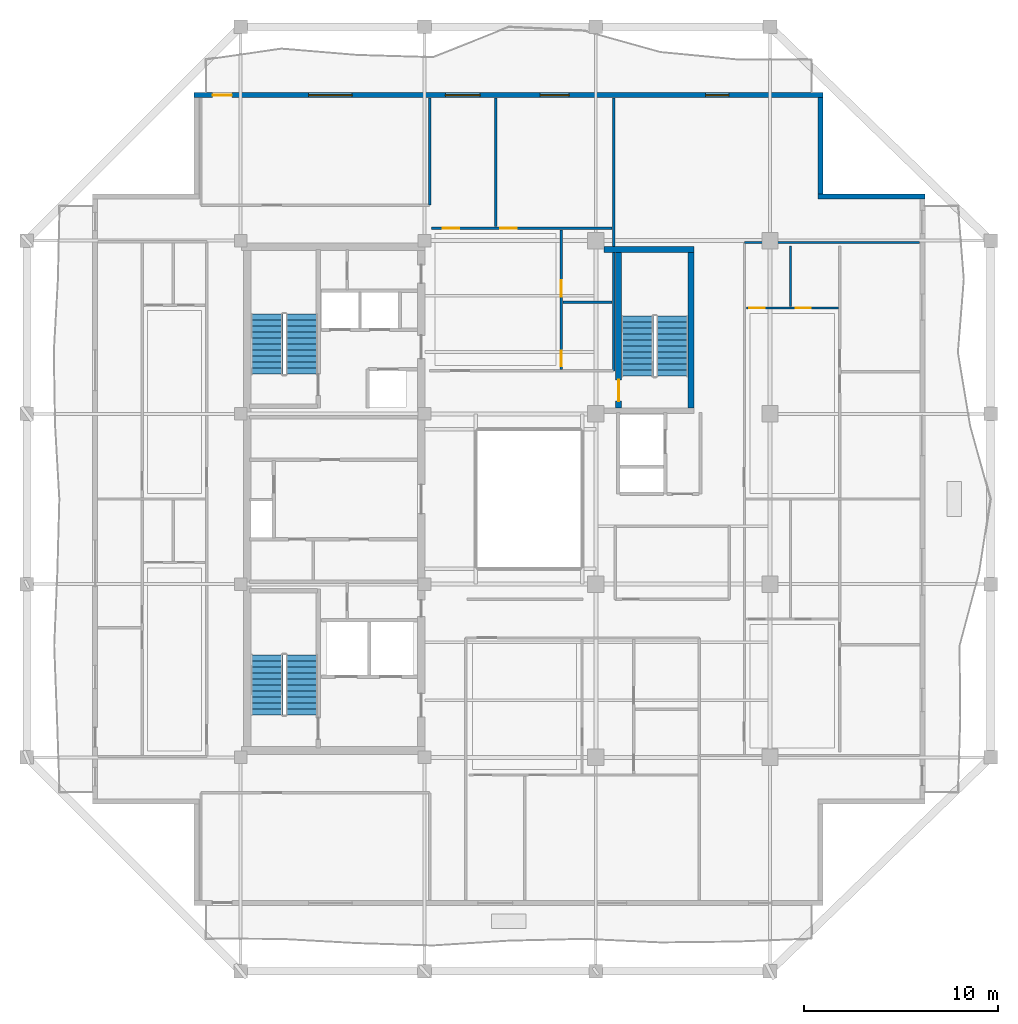
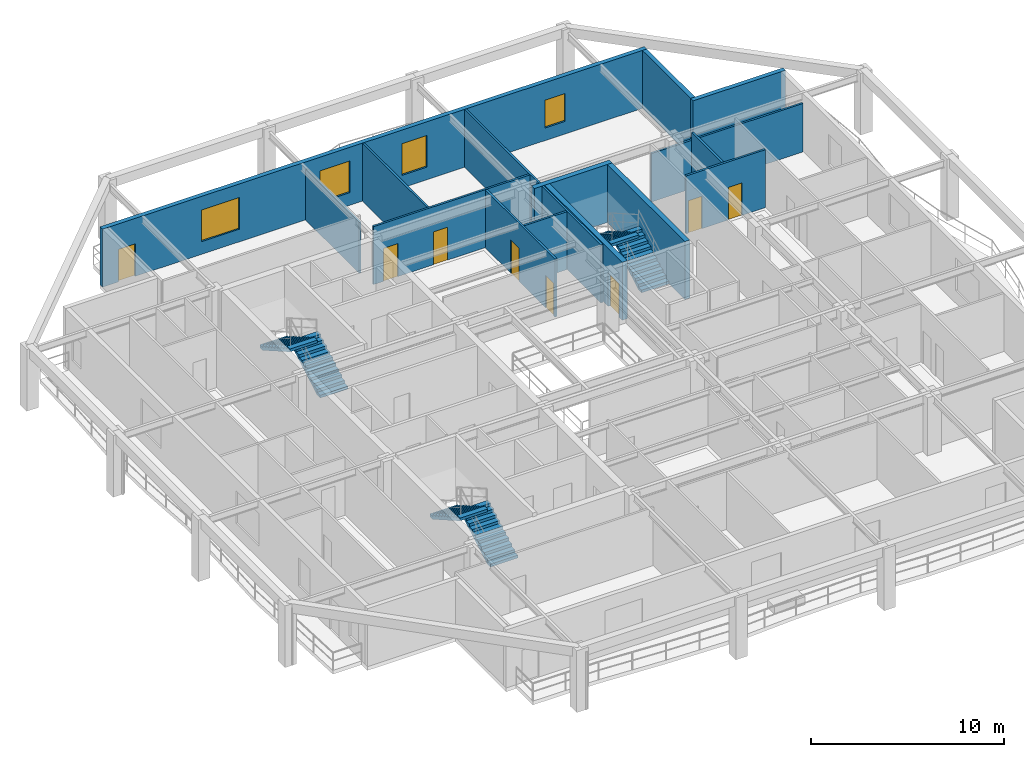
# One storey, part 6 of 11: 15 walls, 8 doors, 6 stair flights, 4 windows, 12 openings, 3 elements without a shape of their own.
"""IFC4 building model written with IfcOpenShell, lengths in metres."""

from ifc_helpers import new_model, si_unit, direction, frame, frame_2d, origin, place, context, subcontext, project, spatial, polyline, rectangle, outline, extrude, material, layer, layer_set, type_object, element, fill, aggregate, save


model = new_model("IFC4")

# Units and contexts
model_context = context("Model", 3, precision=1e-05, world=origin(), true_north=direction((0.0, 1.0)))
body_context = subcontext(model_context, "Body", "Model", "MODEL_VIEW")
ifc_project = project(units=[si_unit("LENGTHUNIT", "METRE"), si_unit("AREAUNIT", "SQUARE_METRE"), si_unit("VOLUMEUNIT", "CUBIC_METRE"), si_unit("PLANEANGLEUNIT", "RADIAN"), si_unit("MASSUNIT", "GRAM", prefix="KILO")], contexts=[model_context])

# Site, building, storey
site_placement = place(None, origin())
site = spatial("IfcSite", under=ifc_project, at=site_placement, CompositionType="ELEMENT")
building_placement = place(site_placement, origin())
building = spatial("IfcBuilding", under=site, at=building_placement, Name="Kundavana Baori Tower", CompositionType="ELEMENT")
storey_placement = place(building_placement, frame((0.0, 0.0, 218.0)))
storey = spatial("IfcBuildingStorey", under=building, at=storey_placement, Name="L53", CompositionType="ELEMENT", Elevation=218.0)

# Walls
ifc_material_1 = material(Name="Kiln-Fired Terracotta Brick-Slip Masonry on Concrete C40/50", Category="masonry")
ifc_layer_1 = layer(ifc_material_1, 0.260009765625, Name="WL-EXT-BRK-260")
ifc_layer_set_1 = layer_set([ifc_layer_1], Name="Kiln-Fired Terracotta Brick-Slip Masonry on Concrete C40/50")
wall_type_1 = type_object("IfcWallType", Name="WL-EXT-BRK-260", PredefinedType="SOLIDWALL", material=ifc_layer_set_1)
wall_1_placement = place(storey_placement, frame((50.800048828125, 44.219970703125, 0.0), z_axis=(0.0, 0.0, 1.0), x_axis=(-1.0, 0.0, 0.0)))
element("IfcWall", 1, at=wall_1_placement, inside=storey, type_object=wall_type_1, Name="L53 Exterior Insulated Facade Wall 05", PredefinedType="SOLIDWALL", context=body_context, shape_type="SweptSolid", body=[
    extrude(rectangle(XDim=5.510009765625, YDim=0.260009765625, at=frame_2d((2.7548828125, 0.0))), origin(), (0.0, 0.0, 1.0), 3.659912109375),
])
wall_2_placement = place(storey_placement, frame((45.419921875, 44.35009765625, 0.0), z_axis=(0.0, 0.0, 1.0), x_axis=(0.0, 1.0, 0.0)))
element("IfcWall", 2, at=wall_2_placement, inside=storey, type_object=wall_type_1, Name="L53 Exterior Insulated Facade Wall 06", PredefinedType="SOLIDWALL", context=body_context, shape_type="SweptSolid", body=[
    extrude(rectangle(XDim=4.989990234375, YDim=0.260009765625, at=frame_2d((2.4951171875, 0.0))), origin(), (0.0, 0.0, 1.0), 3.659912109375),
])

# Wall, openings, door, windows
wall_3_placement = place(storey_placement, frame((45.550048828125, 49.469970703125, 0.0), z_axis=(0.0, 0.0, 1.0), x_axis=(-1.0, 0.0, 0.0)))
wall_3 = element("IfcWall", 3, at=wall_3_placement, inside=storey, type_object=wall_type_1, Name="L53 Exterior Insulated Facade Wall 07", PredefinedType="SOLIDWALL", context=body_context, shape_type="SweptSolid", body=[
    extrude(rectangle(XDim=32.5, YDim=0.260009765625, at=frame_2d((16.25, 0.0))), origin(), (0.0, 0.0, 1.0), 3.659912109375),
])
opening_1_placement = place(wall_3_placement, frame((30.550048828125, 0.0, 0.0)))
opening_1 = element("IfcOpeningElement", 4, at=opening_1_placement, cuts=wall_3, Name="Opening BD-1", PredefinedType="OPENING", context=body_context, shape_type="SweptSolid", body=[
    extrude(rectangle(XDim=1.0, YDim=2.050048828125, at=frame_2d((0.5, 1.02490234375))), frame((0.0, 0.14013671875, 0.0), z_axis=(0.0, -1.0, 0.0), x_axis=(1.0, 0.0, 0.0)), (0.0, 0.0, 1.0), 0.280029296875),
])
opening_2_placement = place(wall_3_placement, frame((24.340087890625, 0.0, 0.800048828125)))
opening_2 = element("IfcOpeningElement", 5, at=opening_2_placement, cuts=wall_3, Name="Opening W-10", PredefinedType="OPENING", context=body_context, shape_type="SweptSolid", body=[
    extrude(rectangle(XDim=2.25, YDim=2.0, at=frame_2d((1.125, 1.0))), frame((0.0, 0.14013671875, 0.0), z_axis=(0.0, -1.0, 0.0), x_axis=(1.0, 0.0, 0.0)), (0.0, 0.0, 1.0), 0.280029296875),
])
opening_3_placement = place(wall_3_placement, frame((17.72802734375, 0.0, 0.800048828125)))
opening_3 = element("IfcOpeningElement", 6, at=opening_3_placement, cuts=wall_3, Name="Opening W-01", PredefinedType="OPENING", context=body_context, shape_type="SweptSolid", body=[
    extrude(rectangle(XDim=1.800048828125, YDim=2.0, at=frame_2d((0.89990234375, 1.0))), frame((0.0, 0.14013671875, 0.0), z_axis=(0.0, -1.0, 0.0), x_axis=(1.0, 0.0, 0.0)), (0.0, 0.0, 1.0), 0.280029296875),
])
opening_4_placement = place(wall_3_placement, frame((13.1279296875, 0.0, 0.800048828125)))
opening_4 = element("IfcOpeningElement", 7, at=opening_4_placement, cuts=wall_3, Name="Opening W-02", PredefinedType="OPENING", context=body_context, shape_type="SweptSolid", body=[
    extrude(rectangle(XDim=1.5, YDim=2.0, at=frame_2d((0.75, 1.0))), frame((0.0, 0.14013671875, 0.0), z_axis=(0.0, -1.0, 0.0), x_axis=(1.0, 0.0, 0.0)), (0.0, 0.0, 1.0), 0.280029296875),
])
opening_5_placement = place(wall_3_placement, frame((4.8701171875, 0.0, 0.800048828125)))
opening_5 = element("IfcOpeningElement", 8, at=opening_5_placement, cuts=wall_3, Name="Opening W-03", PredefinedType="OPENING", context=body_context, shape_type="SweptSolid", body=[
    extrude(rectangle(XDim=1.199951171875, YDim=1.75, at=frame_2d((0.60009765625, 0.875))), frame((0.0, 0.14013671875, 0.0), z_axis=(0.0, -1.0, 0.0), x_axis=(1.0, 0.0, 0.0)), (0.0, 0.0, 1.0), 0.280029296875),
])
ifc_material_2 = material(Name="Architectural Patinated Bronze Metalwork")
door_type_1 = type_object("IfcDoorType", Name="DR-EXT-LOG-1000", OperationType="NOTDEFINED", PredefinedType="DOOR", material=ifc_material_2)
door_1_placement = place(opening_1_placement, frame((1.0, 0.0, 0.0), z_axis=(0.0, 0.0, 1.0), x_axis=(-1.0, 0.0, 0.0)))
door_1 = element("IfcDoor", 9, at=door_1_placement, inside=storey, type_object=door_type_1, Name="L53 Loggia Balcony Access Door N", OperationType="SINGLE_SWING_LEFT", OverallHeight=2.050048828125, OverallWidth=1.0, PredefinedType="DOOR", context=body_context, shape_type="SweptSolid", body=[
    extrude(rectangle(XDim=1.0, YDim=2.050048828125, at=frame_2d((0.5, 1.02490234375))), frame((0.0, 0.02490234375, 0.0), z_axis=(0.0, -1.0, 0.0), x_axis=(1.0, 0.0, 0.0)), (0.0, 0.0, 1.0), 0.050048828125),
])
fill(opening_1, door_1)
ifc_material_3 = material(Name="Double-Glazed Solar-Control Low-E Insulated Glass", Category="glass")
window_type_1 = type_object("IfcWindowType", Name="WIN-LOG-1200x1750", PartitioningType="SINGLE_PANEL", PredefinedType="WINDOW", material=ifc_material_3)
window_1_placement = place(opening_5_placement, origin())
window_1 = element("IfcWindow", 10, at=window_1_placement, inside=storey, type_object=window_type_1, Name="L53 Recessed Loggia Window N-4", OverallHeight=1.75, OverallWidth=1.199951171875, PartitioningType="SINGLE_PANEL", PredefinedType="WINDOW", context=body_context, shape_type="SweptSolid", body=[
    extrude(rectangle(XDim=1.199951171875, YDim=1.75, at=frame_2d((0.60009765625, 0.875))), frame((0.0, 0.030029296875, 0.0), z_axis=(0.0, -1.0, 0.0), x_axis=(1.0, 0.0, 0.0)), (0.0, 0.0, 1.0), 0.06005859375),
])
fill(opening_5, window_1)
ifc_material_4 = material(Name="Double-Glazed Solar-Control Low-E Insulated Glass", Category="glass")
window_type_2 = type_object("IfcWindowType", Name="WIN-LOG-1500x2000", PartitioningType="SINGLE_PANEL", PredefinedType="WINDOW", material=ifc_material_4)
window_2_placement = place(opening_4_placement, origin())
window_2 = element("IfcWindow", 11, at=window_2_placement, inside=storey, type_object=window_type_2, Name="L53 Recessed Loggia Window N-3", OverallHeight=2.0, OverallWidth=1.5, PartitioningType="SINGLE_PANEL", PredefinedType="WINDOW", context=body_context, shape_type="SweptSolid", body=[
    extrude(rectangle(XDim=1.5, YDim=2.0, at=frame_2d((0.75, 1.0))), frame((0.0, 0.030029296875, 0.0), z_axis=(0.0, -1.0, 0.0), x_axis=(1.0, 0.0, 0.0)), (0.0, 0.0, 1.0), 0.06005859375),
])
fill(opening_4, window_2)
ifc_material_5 = material(Name="Double-Glazed Solar-Control Low-E Insulated Glass", Category="glass")
window_type_3 = type_object("IfcWindowType", Name="WIN-LOG-1800x2000", PartitioningType="SINGLE_PANEL", PredefinedType="WINDOW", material=ifc_material_5)
window_3_placement = place(opening_3_placement, origin())
window_3 = element("IfcWindow", 12, at=window_3_placement, inside=storey, type_object=window_type_3, Name="L53 Recessed Loggia Window N-2", OverallHeight=2.0, OverallWidth=1.800048828125, PartitioningType="SINGLE_PANEL", PredefinedType="WINDOW", context=body_context, shape_type="SweptSolid", body=[
    extrude(rectangle(XDim=1.800048828125, YDim=2.0, at=frame_2d((0.89990234375, 1.0))), frame((0.0, 0.030029296875, 0.0), z_axis=(0.0, -1.0, 0.0), x_axis=(1.0, 0.0, 0.0)), (0.0, 0.0, 1.0), 0.06005859375),
])
fill(opening_3, window_3)
ifc_material_6 = material(Name="Double-Glazed Solar-Control Low-E Insulated Glass", Category="glass")
window_type_4 = type_object("IfcWindowType", Name="WIN-LOG-2250x2000", PartitioningType="SINGLE_PANEL", PredefinedType="WINDOW", material=ifc_material_6)
window_4_placement = place(opening_2_placement, origin())
window_4 = element("IfcWindow", 13, at=window_4_placement, inside=storey, type_object=window_type_4, Name="L53 Recessed Loggia Window N-1", OverallHeight=2.0, OverallWidth=2.25, PartitioningType="SINGLE_PANEL", PredefinedType="WINDOW", context=body_context, shape_type="SweptSolid", body=[
    extrude(rectangle(XDim=2.25, YDim=2.0, at=frame_2d((1.125, 1.0))), frame((0.0, 0.030029296875, 0.0), z_axis=(0.0, -1.0, 0.0), x_axis=(1.0, 0.0, 0.0)), (0.0, 0.0, 1.0), 0.06005859375),
])
fill(opening_2, window_4)

# Walls
ifc_material_7 = material(Name="Acoustic Gypsum Plasterboard on Galvanised Steel Studs", Category="steel")
ifc_layer_2 = layer(ifc_material_7, 0.1201171875, Name="WL-PART-120")
ifc_layer_set_2 = layer_set([ifc_layer_2], Name="Acoustic Gypsum Plasterboard on Galvanised Steel Studs")
wall_type_2 = type_object("IfcWallType", Name="WL-PART-120", PredefinedType="PARTITIONING", material=ifc_layer_set_2)
wall_4_placement = place(storey_placement, frame((25.219970703125, 43.780029296875, 0.0), z_axis=(0.0, 0.0, 1.0), x_axis=(0.0, 1.0, 0.0)))
element("IfcWall", 14, at=wall_4_placement, inside=storey, type_object=wall_type_2, Name="WL-L53-RNCE", PredefinedType="PARTITIONING", context=body_context, shape_type="SweptSolid", body=[
    extrude(rectangle(XDim=5.5400390625, YDim=0.1201171875, at=frame_2d((2.77001953125, 0.0))), origin(), (0.0, 0.0, 1.0), 3.2099609375),
])
wall_5_placement = place(storey_placement, frame((34.719970703125, 35.219970703125, 0.0), z_axis=(0.0, 0.0, 1.0), x_axis=(0.0, 1.0, 0.0)))
element("IfcWall", 15, at=wall_5_placement, inside=storey, type_object=wall_type_2, Name="WL-L53-RNEND", PredefinedType="PARTITIONING", context=body_context, shape_type="SweptSolid", body=[
    extrude(rectangle(XDim=14.10009765625, YDim=0.1201171875, at=frame_2d((7.050048828125, 0.0))), origin(), (0.0, 0.0, 1.0), 3.659912109375),
])

# Wall, openings, doors
wall_6_placement = place(storey_placement, frame((25.300048828125, 42.590087890625, 0.0), z_axis=(0.0, 0.0, 1.0), x_axis=(1.0, 0.0, 0.0)))
wall_6 = element("IfcWall", 16, at=wall_6_placement, inside=storey, type_object=wall_type_2, Name="WL-L53-N1-HZ", PredefinedType="PARTITIONING", context=body_context, shape_type="SweptSolid", body=[
    extrude(rectangle(XDim=9.33984375, YDim=0.1201171875, at=frame_2d((4.669921875, 0.0))), origin(), (0.0, 0.0, 1.0), 3.659912109375),
])
opening_6_placement = place(wall_6_placement, frame((0.60009765625, 0.0, 0.0)))
opening_6 = element("IfcOpeningElement", 17, at=opening_6_placement, cuts=wall_6, Name="Opening ID-085", PredefinedType="OPENING", context=body_context, shape_type="SweptSolid", body=[
    extrude(rectangle(XDim=0.85009765625, YDim=2.080078125, at=frame_2d((0.425048828125, 1.0400390625))), frame((0.0, 0.070068359375, 0.0), z_axis=(0.0, -1.0, 0.0), x_axis=(1.0, 0.0, 0.0)), (0.0, 0.0, 1.0), 0.14013671875),
])
opening_7_placement = place(wall_6_placement, frame((3.572998046875, 0.0, 0.0)))
opening_7 = element("IfcOpeningElement", 18, at=opening_7_placement, cuts=wall_6, Name="Opening ID-085", PredefinedType="OPENING", context=body_context, shape_type="SweptSolid", body=[
    extrude(rectangle(XDim=0.85009765625, YDim=2.080078125, at=frame_2d((0.425048828125, 1.0400390625))), frame((0.0, 0.070068359375, 0.0), z_axis=(0.0, -1.0, 0.0), x_axis=(1.0, 0.0, 0.0)), (0.0, 0.0, 1.0), 0.14013671875),
])
ifc_material_8 = material(Name="Engineered Teak Solid-Core Timber Veneer", Category="wood")
door_type_2 = type_object("IfcDoorType", Name="DR-INT-850", OperationType="NOTDEFINED", PredefinedType="DOOR", material=ifc_material_8)
door_2_placement = place(opening_6_placement, origin())
door_2 = element("IfcDoor", 19, at=door_2_placement, inside=storey, type_object=door_type_2, Name="DR-L53-N1-B1", OperationType="SINGLE_SWING_LEFT", OverallHeight=2.080078125, OverallWidth=0.85009765625, PredefinedType="DOOR", context=body_context, shape_type="SweptSolid", body=[
    extrude(rectangle(XDim=0.85009765625, YDim=2.080078125, at=frame_2d((0.425048828125, 1.0400390625))), frame((0.0, 0.02490234375, 0.0), z_axis=(0.0, -1.0, 0.0), x_axis=(1.0, 0.0, 0.0)), (0.0, 0.0, 1.0), 0.050048828125),
])
fill(opening_6, door_2)
door_3_placement = place(opening_7_placement, origin())
door_3 = element("IfcDoor", 20, at=door_3_placement, inside=storey, type_object=door_type_2, Name="DR-L53-N1-B2", OperationType="SINGLE_SWING_RIGHT", OverallHeight=2.080078125, OverallWidth=0.85009765625, PredefinedType="DOOR", context=body_context, shape_type="SweptSolid", body=[
    extrude(rectangle(XDim=0.85009765625, YDim=2.080078125, at=frame_2d((0.425048828125, 1.0400390625))), frame((0.0, 0.02490234375, 0.0), z_axis=(0.0, -1.0, 0.0), x_axis=(1.0, 0.0, 0.0)), (0.0, 0.0, 1.0), 0.050048828125),
])
fill(opening_7, door_3)

# Walls
wall_7_placement = place(storey_placement, frame((28.623046875, 42.669921875, 0.0), z_axis=(0.0, 0.0, 1.0), x_axis=(0.0, 1.0, 0.0)))
element("IfcWall", 21, at=wall_7_placement, inside=storey, type_object=wall_type_2, Name="WL-L53-N1-BDV", PredefinedType="PARTITIONING", context=body_context, shape_type="SweptSolid", body=[
    extrude(rectangle(XDim=6.650146484375, YDim=0.1201171875, at=frame_2d((3.3251953125, 0.0))), origin(), (0.0, 0.0, 1.0), 3.659912109375),
])
wall_8_placement = place(storey_placement, frame((41.47998046875, 41.85009765625, 0.0), z_axis=(0.0, 0.0, 1.0), x_axis=(1.0, 0.0, 0.0)))
element("IfcWall", 22, at=wall_8_placement, inside=storey, type_object=wall_type_2, Name="WL-L53-REN", PredefinedType="PARTITIONING", context=body_context, shape_type="SweptSolid", body=[
    extrude(rectangle(XDim=9.0400390625, YDim=0.1201171875, at=frame_2d((4.52001953125, 0.0))), origin(), (0.0, 0.0, 1.0), 3.06005859375),
])
ifc_material_9 = material(Name="Concrete C50/60", Category="concrete")
ifc_layer_3 = layer(ifc_material_9, 0.300048828125, Name="WL-ST3-300")
ifc_layer_set_3 = layer_set([ifc_layer_3], Name="Concrete C50/60")
wall_type_3 = type_object("IfcWallType", Name="WL-ST3-300", PredefinedType="SHEAR", material=ifc_layer_set_3)
wall_9_placement = place(storey_placement, frame((34.22509765625, 41.489990234375, 0.0), z_axis=(0.0, 0.0, 1.0), x_axis=(1.0, 0.0, 0.0)))
element("IfcWall", 23, at=wall_9_placement, inside=storey, type_object=wall_type_3, Name="L53 Stair ST3 North Shear Wall", PredefinedType="SHEAR", context=body_context, shape_type="SweptSolid", body=[
    extrude(rectangle(XDim=4.64501953125, YDim=0.300048828125, at=frame_2d((2.322509765625, 0.0))), origin(), (0.0, 0.0, 1.0), 3.659912109375),
])

# Wall, opening, door
wall_10_placement = place(storey_placement, frame((34.97998046875, 33.31005859375, 0.0), z_axis=(0.0, 0.0, 1.0), x_axis=(0.0, 1.0, 0.0)))
wall_10 = element("IfcWall", 24, at=wall_10_placement, inside=storey, type_object=wall_type_3, Name="L53 Stair ST3 West Shear Wall", PredefinedType="SHEAR", context=body_context, shape_type="SweptSolid", body=[
    extrude(rectangle(XDim=8.030029296875, YDim=0.300048828125, at=frame_2d((4.01513671875, 0.0))), origin(), (0.0, 0.0, 1.0), 3.659912109375),
])
opening_8_placement = place(wall_10_placement, frame((0.35009765625, 0.0, 0.0)))
opening_8 = element("IfcOpeningElement", 25, at=opening_8_placement, cuts=wall_10, Name="Opening FD-110", PredefinedType="OPENING", context=body_context, shape_type="SweptSolid", body=[
    extrude(rectangle(XDim=1.10009765625, YDim=2.10009765625, at=frame_2d((0.550048828125, 1.050048828125))), frame((0.0, 0.16015625, 0.0), z_axis=(0.0, -1.0, 0.0), x_axis=(1.0, 0.0, 0.0)), (0.0, 0.0, 1.0), 0.320068359375),
])
ifc_material_10 = material(Name="Galvanised Steel Fire-Rated Door Leaf", Category="steel")
door_type_3 = type_object("IfcDoorType", Name="DR-FD120-1100", OperationType="NOTDEFINED", PredefinedType="DOOR", material=ifc_material_10)
door_4_placement = place(opening_8_placement, origin())
door_4 = element("IfcDoor", 26, at=door_4_placement, inside=storey, type_object=door_type_3, Name="DR-L53-ST3-W", OperationType="SINGLE_SWING_LEFT", OverallHeight=2.10009765625, OverallWidth=1.10009765625, PredefinedType="DOOR", context=body_context, shape_type="SweptSolid", body=[
    extrude(rectangle(XDim=1.10009765625, YDim=2.10009765625, at=frame_2d((0.550048828125, 1.050048828125))), frame((0.0, 0.02490234375, 0.0), z_axis=(0.0, -1.0, 0.0), x_axis=(1.0, 0.0, 0.0)), (0.0, 0.0, 1.0), 0.050048828125),
])
fill(opening_8, door_4)

# Wall
wall_11_placement = place(storey_placement, frame((38.719970703125, 33.31005859375, 0.0), z_axis=(0.0, 0.0, 1.0), x_axis=(0.0, 1.0, 0.0)))
element("IfcWall", 27, at=wall_11_placement, inside=storey, type_object=wall_type_3, Name="L53 Stair ST3 East Shear Wall", PredefinedType="SHEAR", context=body_context, shape_type="SweptSolid", body=[
    extrude(rectangle(XDim=8.030029296875, YDim=0.300048828125, at=frame_2d((4.01513671875, 0.0))), origin(), (0.0, 0.0, 1.0), 3.659912109375),
])

# Wall, openings, doors
ifc_material_11 = material(Name="Autoclaved Aerated Concrete Blockwork Masonry", Category="masonry")
ifc_layer_4 = layer(ifc_material_11, 0.125, Name="WL-WET-120")
ifc_layer_set_4 = layer_set([ifc_layer_4], Name="Autoclaved Aerated Concrete Blockwork Masonry")
wall_type_4 = type_object("IfcWallType", Name="WL-WET-120", PredefinedType="PLUMBINGWALL", material=ifc_layer_set_4)
wall_12_placement = place(storey_placement, frame((32.02490234375, 35.300048828125, 0.0), z_axis=(0.0, 0.0, 1.0), x_axis=(0.0, 1.0, 0.0)))
wall_12 = element("IfcWall", 28, at=wall_12_placement, inside=storey, type_object=wall_type_4, Name="WL-L53-N1-KT", PredefinedType="PLUMBINGWALL", context=body_context, shape_type="SweptSolid", body=[
    extrude(rectangle(XDim=7.2099609375, YDim=0.125, at=frame_2d((3.60498046875, 0.0))), origin(), (0.0, 0.0, 1.0), 3.659912109375),
])
opening_9_placement = place(wall_12_placement, frame((0.159912109375, 0.0, 0.0)))
opening_9 = element("IfcOpeningElement", 29, at=opening_9_placement, cuts=wall_12, Name="Opening WD-080", PredefinedType="OPENING", context=body_context, shape_type="SweptSolid", body=[
    extrude(rectangle(XDim=0.800048828125, YDim=2.050048828125, at=frame_2d((0.39990234375, 1.02490234375))), frame((0.0, 0.072509765625, 0.0), z_axis=(0.0, -1.0, 0.0), x_axis=(1.0, 0.0, 0.0)), (0.0, 0.0, 1.0), 0.14501953125),
])
opening_10_placement = place(wall_12_placement, frame((3.740966796875, 0.0, 0.0)))
opening_10 = element("IfcOpeningElement", 30, at=opening_10_placement, cuts=wall_12, Name="Opening ID-085", PredefinedType="OPENING", context=body_context, shape_type="SweptSolid", body=[
    extrude(rectangle(XDim=0.85009765625, YDim=2.080078125, at=frame_2d((0.425048828125, 1.0400390625))), frame((0.0, 0.072509765625, 0.0), z_axis=(0.0, -1.0, 0.0), x_axis=(1.0, 0.0, 0.0)), (0.0, 0.0, 1.0), 0.14501953125),
])
door_5_placement = place(opening_10_placement, origin())
door_5 = element("IfcDoor", 31, at=door_5_placement, inside=storey, type_object=door_type_2, Name="DR-L53-N1-KT", OperationType="SINGLE_SWING_RIGHT", OverallHeight=2.080078125, OverallWidth=0.85009765625, PredefinedType="DOOR", context=body_context, shape_type="SweptSolid", body=[
    extrude(rectangle(XDim=0.85009765625, YDim=2.080078125, at=frame_2d((0.425048828125, 1.0400390625))), frame((0.0, 0.02490234375, 0.0), z_axis=(0.0, -1.0, 0.0), x_axis=(1.0, 0.0, 0.0)), (0.0, 0.0, 1.0), 0.050048828125),
])
fill(opening_10, door_5)
ifc_material_12 = material(Name="Engineered Teak Solid-Core Timber Veneer", Category="wood")
door_type_4 = type_object("IfcDoorType", Name="DR-WET-800", OperationType="NOTDEFINED", PredefinedType="DOOR", material=ifc_material_12)
door_6_placement = place(opening_9_placement, origin())
door_6 = element("IfcDoor", 32, at=door_6_placement, inside=storey, type_object=door_type_4, Name="DR-L53-N1-BT", OperationType="SINGLE_SWING_LEFT", OverallHeight=2.050048828125, OverallWidth=0.800048828125, PredefinedType="DOOR", context=body_context, shape_type="SweptSolid", body=[
    extrude(rectangle(XDim=0.800048828125, YDim=2.050048828125, at=frame_2d((0.39990234375, 1.02490234375))), frame((0.0, 0.02490234375, 0.0), z_axis=(0.0, -1.0, 0.0), x_axis=(1.0, 0.0, 0.0)), (0.0, 0.0, 1.0), 0.050048828125),
])
fill(opening_9, door_6)

# Wall
wall_13_placement = place(storey_placement, frame((32.10498046875, 38.760986328125, 0.0), z_axis=(0.0, 0.0, 1.0), x_axis=(1.0, 0.0, 0.0)))
element("IfcWall", 33, at=wall_13_placement, inside=storey, type_object=wall_type_4, Name="WL-L53-N1-BT", PredefinedType="PLUMBINGWALL", context=body_context, shape_type="SweptSolid", body=[
    extrude(rectangle(XDim=2.534912109375, YDim=0.125, at=frame_2d((1.267578125, 0.0))), origin(), (0.0, 0.0, 1.0), 3.659912109375),
])

# Wall, openings, doors
wall_14_placement = place(storey_placement, frame((41.580078125, 38.469970703125, 0.0), z_axis=(0.0, 0.0, 1.0), x_axis=(1.0, 0.0, 0.0)))
wall_14 = element("IfcWall", 34, at=wall_14_placement, inside=storey, type_object=wall_type_4, Name="WL-L53-E2-KH", PredefinedType="PLUMBINGWALL", context=body_context, shape_type="SweptSolid", body=[
    extrude(rectangle(XDim=4.747802734375, YDim=0.125, at=frame_2d((2.3740234375, 0.0))), origin(), (0.0, 0.0, 1.0), 3.659912109375),
])
opening_11_placement = place(wall_14_placement, frame((0.159912109375, 0.0, 0.0)))
opening_11 = element("IfcOpeningElement", 35, at=opening_11_placement, cuts=wall_14, Name="Opening WD-080", PredefinedType="OPENING", context=body_context, shape_type="SweptSolid", body=[
    extrude(rectangle(XDim=0.800048828125, YDim=2.050048828125, at=frame_2d((0.39990234375, 1.02490234375))), frame((0.0, 0.072509765625, 0.0), z_axis=(0.0, -1.0, 0.0), x_axis=(1.0, 0.0, 0.0)), (0.0, 0.0, 1.0), 0.14501953125),
])
opening_12_placement = place(wall_14_placement, frame((2.5390625, 0.0, 0.0)))
opening_12 = element("IfcOpeningElement", 36, at=opening_12_placement, cuts=wall_14, Name="Opening WD-080", PredefinedType="OPENING", context=body_context, shape_type="SweptSolid", body=[
    extrude(rectangle(XDim=0.800048828125, YDim=2.050048828125, at=frame_2d((0.39990234375, 1.02490234375))), frame((0.0, 0.072509765625, 0.0), z_axis=(0.0, -1.0, 0.0), x_axis=(1.0, 0.0, 0.0)), (0.0, 0.0, 1.0), 0.14501953125),
])
door_7_placement = place(opening_11_placement, origin())
door_7 = element("IfcDoor", 37, at=door_7_placement, inside=storey, type_object=door_type_4, Name="DR-L53-E2-BT", OperationType="SINGLE_SWING_LEFT", OverallHeight=2.050048828125, OverallWidth=0.800048828125, PredefinedType="DOOR", context=body_context, shape_type="SweptSolid", body=[
    extrude(rectangle(XDim=0.800048828125, YDim=2.050048828125, at=frame_2d((0.39990234375, 1.02490234375))), frame((0.0, 0.02490234375, 0.0), z_axis=(0.0, -1.0, 0.0), x_axis=(1.0, 0.0, 0.0)), (0.0, 0.0, 1.0), 0.050048828125),
])
fill(opening_11, door_7)
door_8_placement = place(opening_12_placement, origin())
door_8 = element("IfcDoor", 38, at=door_8_placement, inside=storey, type_object=door_type_4, Name="DR-L53-E2-KT", OperationType="SINGLE_SWING_RIGHT", OverallHeight=2.050048828125, OverallWidth=0.800048828125, PredefinedType="DOOR", context=body_context, shape_type="SweptSolid", body=[
    extrude(rectangle(XDim=0.800048828125, YDim=2.050048828125, at=frame_2d((0.39990234375, 1.02490234375))), frame((0.0, 0.02490234375, 0.0), z_axis=(0.0, -1.0, 0.0), x_axis=(1.0, 0.0, 0.0)), (0.0, 0.0, 1.0), 0.050048828125),
])
fill(opening_12, door_8)

# Wall
wall_15_placement = place(storey_placement, frame((43.85888671875, 38.550048828125, 0.0), z_axis=(0.0, 0.0, 1.0), x_axis=(0.0, 1.0, 0.0)))
element("IfcWall", 39, at=wall_15_placement, inside=storey, type_object=wall_type_4, Name="WL-L53-E2-BV", PredefinedType="PLUMBINGWALL", context=body_context, shape_type="SweptSolid", body=[
    extrude(rectangle(XDim=3.119873046875, YDim=0.125, at=frame_2d((1.56005859375, 0.0))), origin(), (0.0, 0.0, 1.0), 3.659912109375),
])

# Stair, stair flights
ifc_material_13 = material(Name="Concrete C40/50", Category="concrete")
stair_type = type_object("IfcStairType", Name="STR-DOG-1650", PredefinedType="HALF_TURN_STAIR", material=ifc_material_13)
stair_1_placement = place(storey_placement, origin())
stair_1 = element("IfcStair", 40, at=stair_1_placement, inside=storey, type_object=stair_type, Name="L53 Protected Exit Stair ST1", PredefinedType="HALF_TURN_STAIR")
ifc_material_14 = material(Name="Concrete C40/50", Category="concrete")
stair_flight_type = type_object("IfcStairFlightType", Name="SFL-RC-1650", PredefinedType="STRAIGHT", material=ifc_material_14)
stair_flight_1_placement = place(storey_placement, frame((18.614990234375, 17.449951171875, 0.0), z_axis=(0.0, 0.0, 1.0), x_axis=(0.0, 1.0, 0.0)))
stair_flight_1 = element("IfcStairFlight", 41, at=stair_flight_1_placement, type_object=stair_flight_type, Name="ST1 flight 1", NumberOfRisers=11, NumberOfTreads=10, PredefinedType="STRAIGHT", RiserHeight=0.177272727, TreadLength=0.31, context=body_context, shape_type="SweptSolid", body=[
    extrude(outline(polyline([(0.0, 0.0), (0.0, 0.17724609375), (0.31005859375, 0.17724609375), (0.31005859375, 0.3544921875), (0.6201171875, 0.3544921875), (0.6201171875, 0.53173828125), (0.929931640625, 0.53173828125), (0.929931640625, 0.708984375), (1.239990234375, 0.708984375), (1.239990234375, 0.886474609375), (1.550048828125, 0.886474609375), (1.550048828125, 1.063720703125), (1.860107421875, 1.063720703125), (1.860107421875, 1.240966796875), (2.169921875, 1.240966796875), (2.169921875, 1.418212890625), (2.47998046875, 1.418212890625), (2.47998046875, 1.595458984375), (2.7900390625, 1.595458984375), (2.7900390625, 1.772705078125), (3.10009765625, 1.772705078125), (3.10009765625, 1.949951171875), (3.10009765625, 1.60009765625), (0.302001953125, 0.0), (0.0, 0.0)])), frame((0.0, 0.824951171875, 0.0), z_axis=(0.0, -1.0, 0.0), x_axis=(1.0, 0.0, 0.0)), (0.0, 0.0, 1.0), 1.64990234375),
])
stair_flight_2_placement = place(storey_placement, frame((16.804931640625, 20.550048828125, 1.949951171875), z_axis=(0.0, 0.0, 1.0), x_axis=(0.0, -1.0, 0.0)))
stair_flight_2 = element("IfcStairFlight", 42, at=stair_flight_2_placement, type_object=stair_flight_type, Name="ST1 flight 2", NumberOfRisers=11, NumberOfTreads=10, PredefinedType="STRAIGHT", RiserHeight=0.177272727, TreadLength=0.31, context=body_context, shape_type="SweptSolid", body=[
    extrude(outline(polyline([(0.0, 0.0), (0.0, 0.17724609375), (0.31005859375, 0.17724609375), (0.31005859375, 0.3544921875), (0.6201171875, 0.3544921875), (0.6201171875, 0.53173828125), (0.929931640625, 0.53173828125), (0.929931640625, 0.708984375), (1.239990234375, 0.708984375), (1.239990234375, 0.886474609375), (1.550048828125, 0.886474609375), (1.550048828125, 1.063720703125), (1.860107421875, 1.063720703125), (1.860107421875, 1.240966796875), (2.169921875, 1.240966796875), (2.169921875, 1.418212890625), (2.47998046875, 1.418212890625), (2.47998046875, 1.595458984375), (2.7900390625, 1.595458984375), (2.7900390625, 1.772705078125), (3.10009765625, 1.772705078125), (3.10009765625, 1.949951171875), (3.10009765625, 1.60009765625), (0.302001953125, 0.0), (0.0, 0.0)])), frame((0.0, 0.824951171875, 0.0), z_axis=(0.0, -1.0, 0.0), x_axis=(1.0, 0.0, 0.0)), (0.0, 0.0, 1.0), 1.64990234375),
])
aggregate(stair_1, [stair_flight_1, stair_flight_2])

stair_2_placement = place(storey_placement, origin())
stair_2 = element("IfcStair", 43, at=stair_2_placement, inside=storey, type_object=stair_type, Name="L53 Protected Exit Stair ST2", PredefinedType="HALF_TURN_STAIR")
stair_flight_3_placement = place(storey_placement, frame((18.614990234375, 35.050048828125, 0.0), z_axis=(0.0, 0.0, 1.0), x_axis=(0.0, 1.0, 0.0)))
stair_flight_3 = element("IfcStairFlight", 44, at=stair_flight_3_placement, type_object=stair_flight_type, Name="ST2 flight 1", NumberOfRisers=11, NumberOfTreads=10, PredefinedType="STRAIGHT", RiserHeight=0.177272727, TreadLength=0.31, context=body_context, shape_type="SweptSolid", body=[
    extrude(outline(polyline([(0.0, 0.0), (0.0, 0.17724609375), (0.31005859375, 0.17724609375), (0.31005859375, 0.3544921875), (0.6201171875, 0.3544921875), (0.6201171875, 0.53173828125), (0.929931640625, 0.53173828125), (0.929931640625, 0.708984375), (1.239990234375, 0.708984375), (1.239990234375, 0.886474609375), (1.550048828125, 0.886474609375), (1.550048828125, 1.063720703125), (1.860107421875, 1.063720703125), (1.860107421875, 1.240966796875), (2.169921875, 1.240966796875), (2.169921875, 1.418212890625), (2.47998046875, 1.418212890625), (2.47998046875, 1.595458984375), (2.7900390625, 1.595458984375), (2.7900390625, 1.772705078125), (3.10009765625, 1.772705078125), (3.10009765625, 1.949951171875), (3.10009765625, 1.60009765625), (0.302001953125, 0.0), (0.0, 0.0)])), frame((0.0, 0.824951171875, 0.0), z_axis=(0.0, -1.0, 0.0), x_axis=(1.0, 0.0, 0.0)), (0.0, 0.0, 1.0), 1.64990234375),
])
stair_flight_4_placement = place(storey_placement, frame((16.804931640625, 38.14990234375, 1.949951171875), z_axis=(0.0, 0.0, 1.0), x_axis=(0.0, -1.0, 0.0)))
stair_flight_4 = element("IfcStairFlight", 45, at=stair_flight_4_placement, type_object=stair_flight_type, Name="ST2 flight 2", NumberOfRisers=11, NumberOfTreads=10, PredefinedType="STRAIGHT", RiserHeight=0.177272727, TreadLength=0.31, context=body_context, shape_type="SweptSolid", body=[
    extrude(outline(polyline([(0.0, 0.0), (0.0, 0.17724609375), (0.31005859375, 0.17724609375), (0.31005859375, 0.3544921875), (0.6201171875, 0.3544921875), (0.6201171875, 0.53173828125), (0.929931640625, 0.53173828125), (0.929931640625, 0.708984375), (1.239990234375, 0.708984375), (1.239990234375, 0.886474609375), (1.550048828125, 0.886474609375), (1.550048828125, 1.063720703125), (1.860107421875, 1.063720703125), (1.860107421875, 1.240966796875), (2.169921875, 1.240966796875), (2.169921875, 1.418212890625), (2.47998046875, 1.418212890625), (2.47998046875, 1.595458984375), (2.7900390625, 1.595458984375), (2.7900390625, 1.772705078125), (3.10009765625, 1.772705078125), (3.10009765625, 1.949951171875), (3.10009765625, 1.60009765625), (0.302001953125, 0.0), (0.0, 0.0)])), frame((0.0, 0.824951171875, 0.0), z_axis=(0.0, -1.0, 0.0), x_axis=(1.0, 0.0, 0.0)), (0.0, 0.0, 1.0), 1.64990234375),
])
aggregate(stair_2, [stair_flight_3, stair_flight_4])

stair_3_placement = place(storey_placement, origin())
stair_3 = element("IfcStair", 46, at=stair_3_placement, inside=storey, type_object=stair_type, Name="L53 Protected Exit Stair ST3", PredefinedType="HALF_TURN_STAIR")
stair_flight_5_placement = place(storey_placement, frame((37.7548828125, 34.949951171875, 0.0), z_axis=(0.0, 0.0, 1.0), x_axis=(0.0, 1.0, 0.0)))
stair_flight_5 = element("IfcStairFlight", 47, at=stair_flight_5_placement, type_object=stair_flight_type, Name="ST3 flight 1", NumberOfRisers=11, NumberOfTreads=10, PredefinedType="STRAIGHT", RiserHeight=0.177272727, TreadLength=0.31, context=body_context, shape_type="SweptSolid", body=[
    extrude(outline(polyline([(0.0, 0.0), (0.0, 0.17724609375), (0.31005859375, 0.17724609375), (0.31005859375, 0.3544921875), (0.6201171875, 0.3544921875), (0.6201171875, 0.53173828125), (0.929931640625, 0.53173828125), (0.929931640625, 0.708984375), (1.239990234375, 0.708984375), (1.239990234375, 0.886474609375), (1.550048828125, 0.886474609375), (1.550048828125, 1.063720703125), (1.860107421875, 1.063720703125), (1.860107421875, 1.240966796875), (2.169921875, 1.240966796875), (2.169921875, 1.418212890625), (2.47998046875, 1.418212890625), (2.47998046875, 1.595458984375), (2.7900390625, 1.595458984375), (2.7900390625, 1.772705078125), (3.10009765625, 1.772705078125), (3.10009765625, 1.949951171875), (3.10009765625, 1.60009765625), (0.302001953125, 0.0), (0.0, 0.0)])), frame((0.0, 0.824951171875, 0.0), z_axis=(0.0, -1.0, 0.0), x_axis=(1.0, 0.0, 0.0)), (0.0, 0.0, 1.0), 1.64990234375),
])
stair_flight_6_placement = place(storey_placement, frame((35.945068359375, 38.050048828125, 1.949951171875), z_axis=(0.0, 0.0, 1.0), x_axis=(0.0, -1.0, 0.0)))
stair_flight_6 = element("IfcStairFlight", 48, at=stair_flight_6_placement, type_object=stair_flight_type, Name="ST3 flight 2", NumberOfRisers=11, NumberOfTreads=10, PredefinedType="STRAIGHT", RiserHeight=0.177272727, TreadLength=0.31, context=body_context, shape_type="SweptSolid", body=[
    extrude(outline(polyline([(0.0, 0.0), (0.0, 0.17724609375), (0.31005859375, 0.17724609375), (0.31005859375, 0.3544921875), (0.6201171875, 0.3544921875), (0.6201171875, 0.53173828125), (0.929931640625, 0.53173828125), (0.929931640625, 0.708984375), (1.239990234375, 0.708984375), (1.239990234375, 0.886474609375), (1.550048828125, 0.886474609375), (1.550048828125, 1.063720703125), (1.860107421875, 1.063720703125), (1.860107421875, 1.240966796875), (2.169921875, 1.240966796875), (2.169921875, 1.418212890625), (2.47998046875, 1.418212890625), (2.47998046875, 1.595458984375), (2.7900390625, 1.595458984375), (2.7900390625, 1.772705078125), (3.10009765625, 1.772705078125), (3.10009765625, 1.949951171875), (3.10009765625, 1.60009765625), (0.302001953125, 0.0), (0.0, 0.0)])), frame((0.0, 0.824951171875, 0.0), z_axis=(0.0, -1.0, 0.0), x_axis=(1.0, 0.0, 0.0)), (0.0, 0.0, 1.0), 1.64990234375),
])
aggregate(stair_3, [stair_flight_5, stair_flight_6])

save(model, "model.ifc")
